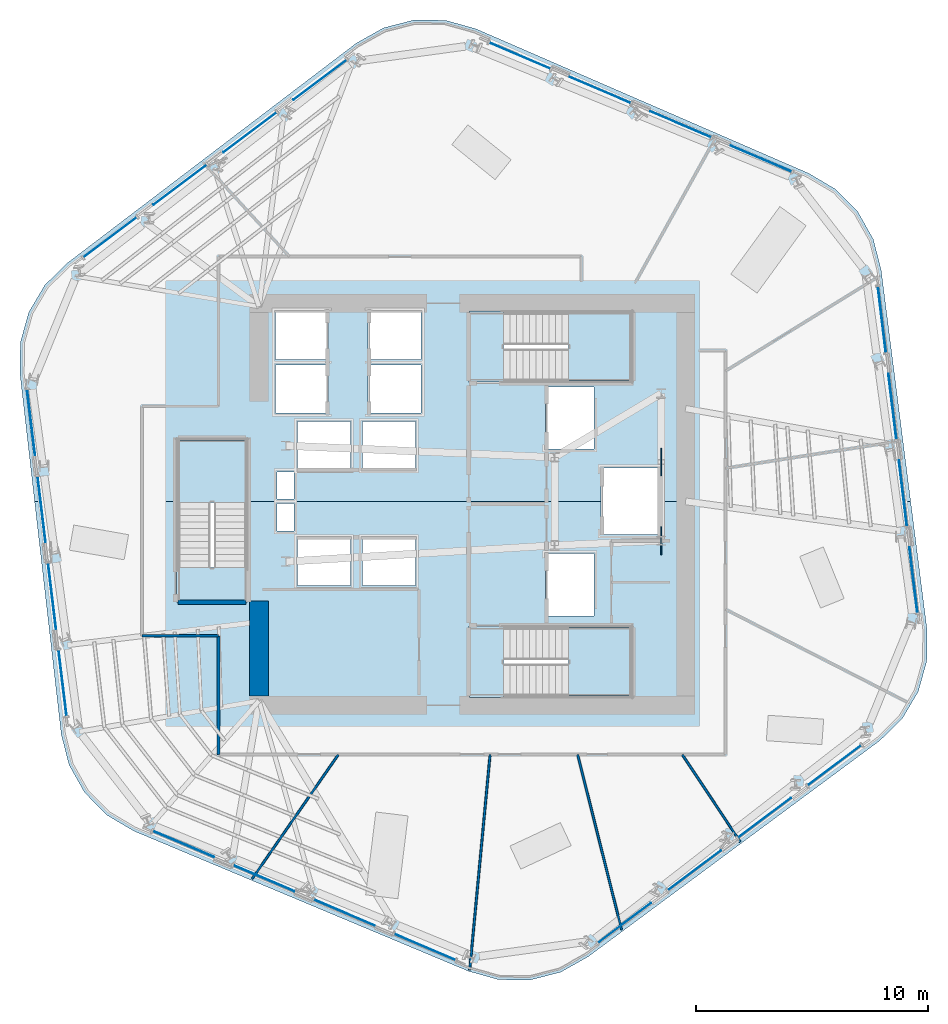
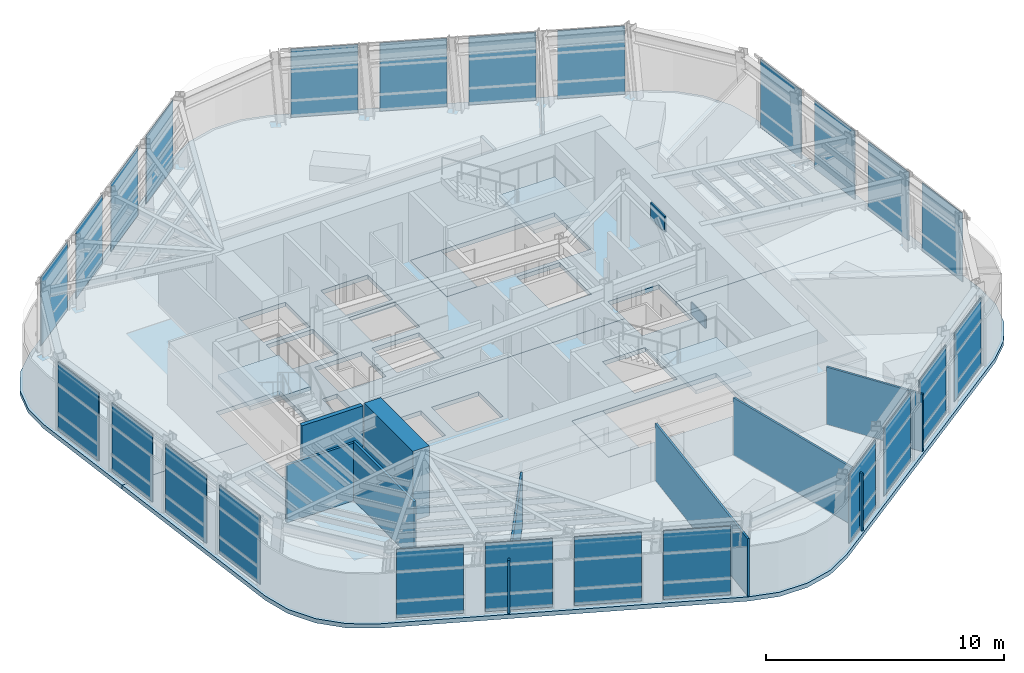
# One storey, part 7 of 14: 26 plates, 8 slabs, 8 walls, 9 elements without a shape of their own.
"""IFC4 building model written with IfcOpenShell, lengths in metres."""

from ifc_helpers import new_model, si_unit, direction, frame, frame_2d, origin, origin_2d, place, context, subcontext, project, spatial, polyline, rectangle, outline, extrude, material, layer, layer_set, type_object, element, aggregate, save


model = new_model("IFC4")

# Units and contexts
model_context = context("Model", 3, precision=1e-05, world=origin(), true_north=direction((0.0, 1.0)))
body_context = subcontext(model_context, "Body", "Model", "MODEL_VIEW")
ifc_project = project(units=[si_unit("LENGTHUNIT", "METRE"), si_unit("AREAUNIT", "SQUARE_METRE"), si_unit("VOLUMEUNIT", "CUBIC_METRE"), si_unit("PLANEANGLEUNIT", "RADIAN"), si_unit("MASSUNIT", "GRAM", prefix="KILO")], contexts=[model_context])

# Site, building, storey
site_placement = place(None, origin())
site = spatial("IfcSite", under=ifc_project, at=site_placement, CompositionType="ELEMENT")
building_placement = place(site_placement, origin())
building = spatial("IfcBuilding", under=site, at=building_placement, Name="Valkerne Bourse Tower", CompositionType="ELEMENT")
storey_placement = place(building_placement, frame((0.0, 0.0, 181.800048828125)))
storey = spatial("IfcBuildingStorey", under=building, at=storey_placement, Name="L46", CompositionType="ELEMENT", Elevation=181.800048828125)

# Curtain wall, plates
ifc_material_1 = material(Name="Aluminium AA 6063-T6", Category="aluminium")
ifc_layer_1 = layer(ifc_material_1, 0.235107421875)
ifc_layer_set_1 = layer_set([ifc_layer_1], Name="Aluminium AA 6063-T6")
curtain_wall_type = type_object("IfcCurtainWallType", Name="CW-03", PredefinedType="NOTDEFINED", material=ifc_layer_set_1)
curtain_wall_1_placement = place(storey_placement, origin())
curtain_wall_1 = element("IfcCurtainWall", 1, at=curtain_wall_1_placement, inside=storey, type_object=curtain_wall_type, Name="L46 Hexagonal Stick Curtain Wall Face 1", PredefinedType="NOTDEFINED")
ifc_material_2 = material(Name="Glass IGU Low-E Double Glazed", Category="glass")
ifc_layer_2 = layer(ifc_material_2, 0.031982421875)
ifc_layer_set_2 = layer_set([ifc_layer_2], Name="Glass IGU Low-E Double Glazed")
plate_type_1 = type_object("IfcPlateType", Name="CW-PNL-IGU-32", PredefinedType="CURTAIN_PANEL", material=ifc_layer_set_2)
plate_1_placement = place(storey_placement, frame((59.254638671875, 41.781982421875, 0.030029296875), z_axis=(0.0, 0.0, 1.0), x_axis=(-0.919823978755, 0.392331298914, 0.0)))
plate_1 = element("IfcPlate", 2, at=plate_1_placement, type_object=plate_type_1, Name="CW-L46-F1 Curtain Panel 00", PredefinedType="CURTAIN_PANEL", context=body_context, shape_type="SweptSolid", body=[
    extrude(rectangle(XDim=2.85107421875, YDim=0.031982421875, at=origin_2d()), origin(), (0.0, 0.0, 1.0), 3.52001953125),
])
plate_2_placement = place(storey_placement, frame((55.785888671875, 43.261474609375, 0.030029296875), z_axis=(0.0, 0.0, 1.0), x_axis=(-0.919819896878, 0.392340868769, 0.0)))
plate_2 = element("IfcPlate", 3, at=plate_2_placement, type_object=plate_type_1, Name="CW-L46-F1 Curtain Panel 01", PredefinedType="CURTAIN_PANEL", context=body_context, shape_type="SweptSolid", body=[
    extrude(rectangle(XDim=2.85107421875, YDim=0.031982421875, at=origin_2d()), origin(), (0.0, 0.0, 1.0), 3.52001953125),
])
plate_3_placement = place(storey_placement, frame((52.3173828125, 44.740966796875, 0.030029296875), z_axis=(0.0, 0.0, 1.0), x_axis=(-0.919823978755, 0.392331298914, 0.0)))
plate_3 = element("IfcPlate", 4, at=plate_3_placement, type_object=plate_type_1, Name="CW-L46-F1 Curtain Panel 02", PredefinedType="CURTAIN_PANEL", context=body_context, shape_type="SweptSolid", body=[
    extrude(rectangle(XDim=2.85107421875, YDim=0.031982421875, at=origin_2d()), origin(), (0.0, 0.0, 1.0), 3.52001953125),
])
plate_4_placement = place(storey_placement, frame((48.8486328125, 46.220458984375, 0.030029296875), z_axis=(0.0, 0.0, 1.0), x_axis=(-0.919819896878, 0.392340868769, 0.0)))
plate_4 = element("IfcPlate", 5, at=plate_4_placement, type_object=plate_type_1, Name="CW-L46-F1 Curtain Panel 03", PredefinedType="CURTAIN_PANEL", context=body_context, shape_type="SweptSolid", body=[
    extrude(rectangle(XDim=2.85107421875, YDim=0.031982421875, at=origin_2d()), origin(), (0.0, 0.0, 1.0), 3.52001953125),
])
aggregate(curtain_wall_1, [plate_1, plate_2, plate_3, plate_4])

curtain_wall_2_placement = place(storey_placement, origin())
curtain_wall_2 = element("IfcCurtainWall", 6, at=curtain_wall_2_placement, inside=storey, type_object=curtain_wall_type, Name="L46 Hexagonal Stick Curtain Wall Face 2", PredefinedType="NOTDEFINED")
plate_5_placement = place(storey_placement, frame((40.2255859375, 45.177001953125, 0.030029296875), z_axis=(0.0, 0.0, 1.0), x_axis=(-0.799691229291, -0.600411473737, 0.0)))
plate_5 = element("IfcPlate", 7, at=plate_5_placement, type_object=plate_type_1, Name="CW-L46-F2 Curtain Panel 00", PredefinedType="CURTAIN_PANEL", context=body_context, shape_type="SweptSolid", body=[
    extrude(rectangle(XDim=2.85107421875, YDim=0.031982421875, at=origin_2d()), origin(), (0.0, 0.0, 1.0), 3.52001953125),
])
plate_6_placement = place(storey_placement, frame((37.2099609375, 42.912841796875, 0.030029296875), z_axis=(0.0, 0.0, 1.0), x_axis=(-0.799694402222, -0.60040724767, 0.0)))
plate_6 = element("IfcPlate", 8, at=plate_6_placement, type_object=plate_type_1, Name="CW-L46-F2 Curtain Panel 01", PredefinedType="CURTAIN_PANEL", context=body_context, shape_type="SweptSolid", body=[
    extrude(rectangle(XDim=2.850830078125, YDim=0.031982421875, at=origin_2d()), origin(), (0.0, 0.0, 1.0), 3.52001953125),
])
plate_7_placement = place(storey_placement, frame((34.194580078125, 40.648681640625, 0.030029296875), z_axis=(0.0, 0.0, 1.0), x_axis=(-0.799681669547, -0.600424206199, 0.0)))
plate_7 = element("IfcPlate", 9, at=plate_7_placement, type_object=plate_type_1, Name="CW-L46-F2 Curtain Panel 02", PredefinedType="CURTAIN_PANEL", context=body_context, shape_type="SweptSolid", body=[
    extrude(rectangle(XDim=2.85107421875, YDim=0.031982421875, at=origin_2d()), origin(), (0.0, 0.0, 1.0), 3.52001953125),
])
plate_8_placement = place(storey_placement, frame((31.178955078125, 38.384521484375, 0.030029296875), z_axis=(0.0, 0.0, 1.0), x_axis=(-0.799681669547, -0.600424206199, 0.0)))
plate_8 = element("IfcPlate", 10, at=plate_8_placement, type_object=plate_type_1, Name="CW-L46-F2 Curtain Panel 03", PredefinedType="CURTAIN_PANEL", context=body_context, shape_type="SweptSolid", body=[
    extrude(rectangle(XDim=2.85107421875, YDim=0.031982421875, at=origin_2d()), origin(), (0.0, 0.0, 1.0), 3.52001953125),
])
aggregate(curtain_wall_2, [plate_5, plate_6, plate_7, plate_8])

curtain_wall_3_placement = place(storey_placement, origin())
curtain_wall_3 = element("IfcCurtainWall", 11, at=curtain_wall_3_placement, inside=storey, type_object=curtain_wall_type, Name="L46 Hexagonal Stick Curtain Wall Face 3", PredefinedType="NOTDEFINED")
plate_9_placement = place(storey_placement, frame((27.77099609375, 30.39501953125, 0.030029296875), z_axis=(0.0, 0.0, 1.0), x_axis=(0.120127043525, -0.992758527243, 0.0)))
plate_9 = element("IfcPlate", 12, at=plate_9_placement, type_object=plate_type_1, Name="CW-L46-F3 Curtain Panel 00", PredefinedType="CURTAIN_PANEL", context=body_context, shape_type="SweptSolid", body=[
    extrude(rectangle(XDim=2.85107421875, YDim=0.031982421875, at=origin_2d()), origin(), (0.0, 0.0, 1.0), 3.52001953125),
])
plate_10_placement = place(storey_placement, frame((28.22412109375, 26.6513671875, 0.030029296875), z_axis=(0.0, 0.0, 1.0), x_axis=(0.120153178833, -0.992755364436, 0.0)))
plate_10 = element("IfcPlate", 13, at=plate_10_placement, type_object=plate_type_1, Name="CW-L46-F3 Curtain Panel 01", PredefinedType="CURTAIN_PANEL", context=body_context, shape_type="SweptSolid", body=[
    extrude(rectangle(XDim=2.85107421875, YDim=0.031982421875, at=origin_2d()), origin(), (0.0, 0.0, 1.0), 3.52001953125),
])
plate_11_placement = place(storey_placement, frame((28.67724609375, 22.90771484375, 0.030029296875), z_axis=(0.0, 0.0, 1.0), x_axis=(0.120127043525, -0.992758527243, 0.0)))
plate_11 = element("IfcPlate", 14, at=plate_11_placement, type_object=plate_type_1, Name="CW-L46-F3 Curtain Panel 02", PredefinedType="CURTAIN_PANEL", context=body_context, shape_type="SweptSolid", body=[
    extrude(rectangle(XDim=2.85107421875, YDim=0.031982421875, at=origin_2d()), origin(), (0.0, 0.0, 1.0), 3.52001953125),
])
plate_12_placement = place(storey_placement, frame((29.130126953125, 19.163818359375, 0.030029296875), z_axis=(0.0, 0.0, 1.0), x_axis=(0.120130206083, -0.992758144558, 0.0)))
plate_12 = element("IfcPlate", 15, at=plate_12_placement, type_object=plate_type_1, Name="CW-L46-F3 Curtain Panel 03", PredefinedType="CURTAIN_PANEL", context=body_context, shape_type="SweptSolid", body=[
    extrude(rectangle(XDim=2.850830078125, YDim=0.031982421875, at=origin_2d()), origin(), (0.0, 0.0, 1.0), 3.52001953125),
])
aggregate(curtain_wall_3, [plate_9, plate_10, plate_11, plate_12])

curtain_wall_4_placement = place(storey_placement, origin())
curtain_wall_4 = element("IfcCurtainWall", 16, at=curtain_wall_4_placement, inside=storey, type_object=curtain_wall_type, Name="L46 Hexagonal Stick Curtain Wall Face 4", PredefinedType="NOTDEFINED")
plate_13_placement = place(storey_placement, frame((34.34521484375, 12.218017578125, 0.030029296875), z_axis=(0.0, 0.0, 1.0), x_axis=(0.919823978755, -0.392331298914, 0.0)))
plate_13 = element("IfcPlate", 17, at=plate_13_placement, type_object=plate_type_1, Name="CW-L46-F4 Curtain Panel 00", PredefinedType="CURTAIN_PANEL", context=body_context, shape_type="SweptSolid", body=[
    extrude(rectangle(XDim=2.85107421875, YDim=0.031982421875, at=origin_2d()), origin(), (0.0, 0.0, 1.0), 3.52001953125),
])
plate_14_placement = place(storey_placement, frame((37.81396484375, 10.738525390625, 0.030029296875), z_axis=(0.0, 0.0, 1.0), x_axis=(0.919819896878, -0.392340868769, 0.0)))
plate_14 = element("IfcPlate", 18, at=plate_14_placement, type_object=plate_type_1, Name="CW-L46-F4 Curtain Panel 01", PredefinedType="CURTAIN_PANEL", context=body_context, shape_type="SweptSolid", body=[
    extrude(rectangle(XDim=2.85107421875, YDim=0.031982421875, at=origin_2d()), origin(), (0.0, 0.0, 1.0), 3.52001953125),
])
plate_15_placement = place(storey_placement, frame((41.28271484375, 9.259033203125, 0.030029296875), z_axis=(0.0, 0.0, 1.0), x_axis=(0.919823978755, -0.392331298914, 0.0)))
plate_15 = element("IfcPlate", 19, at=plate_15_placement, type_object=plate_type_1, Name="CW-L46-F4 Curtain Panel 02", PredefinedType="CURTAIN_PANEL", context=body_context, shape_type="SweptSolid", body=[
    extrude(rectangle(XDim=2.85107421875, YDim=0.031982421875, at=origin_2d()), origin(), (0.0, 0.0, 1.0), 3.52001953125),
])
plate_16_placement = place(storey_placement, frame((44.751220703125, 7.779541015625, 0.030029296875), z_axis=(0.0, 0.0, 1.0), x_axis=(0.919819896878, -0.392340868769, 0.0)))
plate_16 = element("IfcPlate", 20, at=plate_16_placement, type_object=plate_type_1, Name="CW-L46-F4 Curtain Panel 03", PredefinedType="CURTAIN_PANEL", context=body_context, shape_type="SweptSolid", body=[
    extrude(rectangle(XDim=2.85107421875, YDim=0.031982421875, at=origin_2d()), origin(), (0.0, 0.0, 1.0), 3.52001953125),
])
aggregate(curtain_wall_4, [plate_13, plate_14, plate_15, plate_16])

curtain_wall_5_placement = place(storey_placement, origin())
curtain_wall_5 = element("IfcCurtainWall", 21, at=curtain_wall_5_placement, inside=storey, type_object=curtain_wall_type, Name="L46 Hexagonal Stick Curtain Wall Face 5", PredefinedType="NOTDEFINED")
plate_17_placement = place(storey_placement, frame((53.374267578125, 8.822998046875, 0.030029296875), z_axis=(0.0, 0.0, 1.0), x_axis=(0.799691229291, 0.600411473737, 0.0)))
plate_17 = element("IfcPlate", 22, at=plate_17_placement, type_object=plate_type_1, Name="CW-L46-F5 Curtain Panel 00", PredefinedType="CURTAIN_PANEL", context=body_context, shape_type="SweptSolid", body=[
    extrude(rectangle(XDim=2.85107421875, YDim=0.031982421875, at=origin_2d()), origin(), (0.0, 0.0, 1.0), 3.52001953125),
])
plate_18_placement = place(storey_placement, frame((56.389892578125, 11.087158203125, 0.030029296875), z_axis=(0.0, 0.0, 1.0), x_axis=(0.799694402222, 0.60040724767, 0.0)))
plate_18 = element("IfcPlate", 23, at=plate_18_placement, type_object=plate_type_1, Name="CW-L46-F5 Curtain Panel 01", PredefinedType="CURTAIN_PANEL", context=body_context, shape_type="SweptSolid", body=[
    extrude(rectangle(XDim=2.850830078125, YDim=0.031982421875, at=origin_2d()), origin(), (0.0, 0.0, 1.0), 3.52001953125),
])
plate_19_placement = place(storey_placement, frame((59.405517578125, 13.351318359375, 0.030029296875), z_axis=(0.0, 0.0, 1.0), x_axis=(0.799681669547, 0.600424206199, 0.0)))
plate_19 = element("IfcPlate", 24, at=plate_19_placement, type_object=plate_type_1, Name="CW-L46-F5 Curtain Panel 02", PredefinedType="CURTAIN_PANEL", context=body_context, shape_type="SweptSolid", body=[
    extrude(rectangle(XDim=2.85107421875, YDim=0.031982421875, at=origin_2d()), origin(), (0.0, 0.0, 1.0), 3.52001953125),
])
plate_20_placement = place(storey_placement, frame((62.421142578125, 15.615478515625, 0.030029296875), z_axis=(0.0, 0.0, 1.0), x_axis=(0.799681669547, 0.600424206199, 0.0)))
plate_20 = element("IfcPlate", 25, at=plate_20_placement, type_object=plate_type_1, Name="CW-L46-F5 Curtain Panel 03", PredefinedType="CURTAIN_PANEL", context=body_context, shape_type="SweptSolid", body=[
    extrude(rectangle(XDim=2.85107421875, YDim=0.031982421875, at=origin_2d()), origin(), (0.0, 0.0, 1.0), 3.52001953125),
])
aggregate(curtain_wall_5, [plate_17, plate_18, plate_19, plate_20])

curtain_wall_6_placement = place(storey_placement, origin())
curtain_wall_6 = element("IfcCurtainWall", 26, at=curtain_wall_6_placement, inside=storey, type_object=curtain_wall_type, Name="L46 Hexagonal Stick Curtain Wall Face 6", PredefinedType="NOTDEFINED")
plate_21_placement = place(storey_placement, frame((65.828857421875, 23.60498046875, 0.030029296875), z_axis=(0.0, 0.0, 1.0), x_axis=(-0.120127043525, 0.992758527243, 0.0)))
plate_21 = element("IfcPlate", 27, at=plate_21_placement, type_object=plate_type_1, Name="CW-L46-F6 Curtain Panel 00", PredefinedType="CURTAIN_PANEL", context=body_context, shape_type="SweptSolid", body=[
    extrude(rectangle(XDim=2.85107421875, YDim=0.031982421875, at=origin_2d()), origin(), (0.0, 0.0, 1.0), 3.52001953125),
])
plate_22_placement = place(storey_placement, frame((65.3759765625, 27.3486328125, 0.030029296875), z_axis=(0.0, 0.0, 1.0), x_axis=(-0.120153178833, 0.992755364436, 0.0)))
plate_22 = element("IfcPlate", 28, at=plate_22_placement, type_object=plate_type_1, Name="CW-L46-F6 Curtain Panel 01", PredefinedType="CURTAIN_PANEL", context=body_context, shape_type="SweptSolid", body=[
    extrude(rectangle(XDim=2.85107421875, YDim=0.031982421875, at=origin_2d()), origin(), (0.0, 0.0, 1.0), 3.52001953125),
])
plate_23_placement = place(storey_placement, frame((64.9228515625, 31.09228515625, 0.030029296875), z_axis=(0.0, 0.0, 1.0), x_axis=(-0.120127043525, 0.992758527243, 0.0)))
plate_23 = element("IfcPlate", 29, at=plate_23_placement, type_object=plate_type_1, Name="CW-L46-F6 Curtain Panel 02", PredefinedType="CURTAIN_PANEL", context=body_context, shape_type="SweptSolid", body=[
    extrude(rectangle(XDim=2.85107421875, YDim=0.031982421875, at=origin_2d()), origin(), (0.0, 0.0, 1.0), 3.52001953125),
])
plate_24_placement = place(storey_placement, frame((64.469970703125, 34.836181640625, 0.030029296875), z_axis=(0.0, 0.0, 1.0), x_axis=(-0.120130206083, 0.992758144558, 0.0)))
plate_24 = element("IfcPlate", 30, at=plate_24_placement, type_object=plate_type_1, Name="CW-L46-F6 Curtain Panel 03", PredefinedType="CURTAIN_PANEL", context=body_context, shape_type="SweptSolid", body=[
    extrude(rectangle(XDim=2.850830078125, YDim=0.031982421875, at=origin_2d()), origin(), (0.0, 0.0, 1.0), 3.52001953125),
])
aggregate(curtain_wall_6, [plate_21, plate_22, plate_23, plate_24])

# Plates
ifc_material_3 = material(Name="Steel ASTM A572 Grade 50", Category="steel")
ifc_layer_3 = layer(ifc_material_3, 0.06005859375)
ifc_layer_set_3 = layer_set([ifc_layer_3], Name="Steel ASTM A572 Grade 50")
plate_type_2 = type_object("IfcPlateType", Name="PLT-GUS-60", PredefinedType="SHEET", material=ifc_layer_set_3)
for number, where, z_axis, x_axis, name in (
    (31, (54.949951171875, 25.300048828125, -0.18017578125), (0.0, 0.0, 1.0), (0.0, 1.0, 0.0), "L46 Brace Node Gusset Plate PLT-GUS-END-L46-408"),
    (32, (54.949951171875, 28.699951171875, 2.8740234375), (0.0, 0.0, 1.0), (0.0, 1.0, 0.0), "L46 Brace Node Gusset Plate PLT-GUS-END-L46-409"),
):
    element("IfcPlate", number, at=place(storey_placement, frame(where, z_axis=z_axis, x_axis=x_axis)), inside=storey, type_object=plate_type_2, Name=name, PredefinedType="SHEET", context=body_context, shape_type="SweptSolid", body=[
        extrude(rectangle(XDim=1.199951171875, YDim=0.06005859375, at=origin_2d()), origin(), (0.0, 0.0, 1.0), 0.800048828125),
    ])

# Slabs
ifc_material_4 = material(Name="Concrete C40/50", Category="concrete")
ifc_layer_4 = layer(ifc_material_4, 0.25)
ifc_layer_set_4 = layer_set([ifc_layer_4], Name="Concrete C40/50")
slab_type_1 = type_object("IfcSlabType", Name="SLB-RMP-LND-250", PredefinedType="LANDING", material=ifc_layer_set_4)
slab_1_placement = place(storey_placement, frame((0.0, 0.0, -0.219970703125)))
element("IfcSlab", 33, at=slab_1_placement, inside=storey, type_object=slab_type_1, Name="L46 ST-1 Floor Landing Slab", PredefinedType="LANDING", context=body_context, shape_type="SweptSolid", body=[
    extrude(outline(polyline([(46.669921875, 18.5400390625), (48.14990234375, 18.5400390625), (48.14990234375, 21.610107421875), (46.669921875, 21.610107421875), (46.669921875, 18.5400390625)])), origin(), (0.0, 0.0, 1.0), 0.219970703125),
])
slab_2_placement = place(storey_placement, frame((0.0, 0.0, -0.219970703125)))
element("IfcSlab", 34, at=slab_2_placement, inside=storey, type_object=slab_type_1, Name="L46 ST-2 Floor Landing Slab", PredefinedType="LANDING", context=body_context, shape_type="SweptSolid", body=[
    extrude(outline(polyline([(46.669921875, 32.139892578125), (48.14990234375, 32.139892578125), (48.14990234375, 35.2099609375), (46.669921875, 35.2099609375), (46.669921875, 32.139892578125)])), origin(), (0.0, 0.0, 1.0), 0.219970703125),
])
slab_3_placement = place(storey_placement, frame((0.0, 0.0, -0.219970703125)))
element("IfcSlab", 35, at=slab_3_placement, inside=storey, type_object=slab_type_1, Name="L46 ST-3 Floor Landing Slab", PredefinedType="LANDING", context=body_context, shape_type="SweptSolid", body=[
    extrude(outline(polyline([(37.110107421875, 22.669921875), (37.110107421875, 24.14990234375), (34.0400390625, 24.14990234375), (34.0400390625, 22.669921875), (37.110107421875, 22.669921875)])), origin(), (0.0, 0.0, 1.0), 0.219970703125),
])

# Stair, slab
stair_type = type_object("IfcStairType", Name="ST-CORE-1400", PredefinedType="HALF_TURN_STAIR", material=ifc_material_4)
stair_1_placement = place(storey_placement, origin())
stair_1 = element("IfcStair", 36, at=stair_1_placement, inside=storey, type_object=stair_type, Name="L46 ST-1", PredefinedType="HALF_TURN_STAIR")
ifc_layer_5 = layer(ifc_material_4, 0.179931640625)
ifc_layer_set_5 = layer_set([ifc_layer_5], Name="Concrete C40/50")
slab_type_2 = type_object("IfcSlabType", Name="SLB-ST-LND-180", PredefinedType="LANDING", material=ifc_layer_set_5)
slab_4_placement = place(storey_placement, frame((0.0, 0.0, 1.699951171875)))
slab_4 = element("IfcSlab", 37, at=slab_4_placement, type_object=slab_type_2, Name="ST-1 landing 1", PredefinedType="LANDING", context=body_context, shape_type="SweptSolid", body=[
    extrude(outline(polyline([(50.949951171875, 18.60009765625), (53.64990234375, 18.60009765625), (53.64990234375, 21.550048828125), (50.949951171875, 21.550048828125), (50.949951171875, 18.60009765625)])), origin(), (0.0, 0.0, 1.0), 0.199951171875),
])
aggregate(stair_1, [slab_4])

stair_2_placement = place(storey_placement, origin())
stair_2 = element("IfcStair", 38, at=stair_2_placement, inside=storey, type_object=stair_type, Name="L46 ST-2", PredefinedType="HALF_TURN_STAIR")
slab_5_placement = place(storey_placement, frame((0.0, 0.0, 1.699951171875)))
slab_5 = element("IfcSlab", 39, at=slab_5_placement, type_object=slab_type_2, Name="ST-2 landing 1", PredefinedType="LANDING", context=body_context, shape_type="SweptSolid", body=[
    extrude(outline(polyline([(50.949951171875, 32.199951171875), (53.64990234375, 32.199951171875), (53.64990234375, 35.14990234375), (50.949951171875, 35.14990234375), (50.949951171875, 32.199951171875)])), origin(), (0.0, 0.0, 1.0), 0.199951171875),
])
aggregate(stair_2, [slab_5])

stair_3_placement = place(storey_placement, origin())
stair_3 = element("IfcStair", 40, at=stair_3_placement, inside=storey, type_object=stair_type, Name="L46 ST-3", PredefinedType="HALF_TURN_STAIR")
slab_6_placement = place(storey_placement, frame((0.0, 0.0, 1.699951171875)))
slab_6 = element("IfcSlab", 41, at=slab_6_placement, type_object=slab_type_2, Name="ST-3 landing 1", PredefinedType="LANDING", context=body_context, shape_type="SweptSolid", body=[
    extrude(outline(polyline([(37.050048828125, 26.949951171875), (37.050048828125, 29.64990234375), (34.10009765625, 29.64990234375), (34.10009765625, 26.949951171875), (37.050048828125, 26.949951171875)])), origin(), (0.0, 0.0, 1.0), 0.199951171875),
])
aggregate(stair_3, [slab_6])

# Slabs
ifc_layer_6 = layer(ifc_material_4, 0.219970703125)
ifc_layer_set_6 = layer_set([ifc_layer_6], Name="Concrete C40/50")
slab_type_3 = type_object("IfcSlabType", Name="SLB-TOW-220", PredefinedType="FLOOR", material=ifc_layer_set_6)
slab_7_placement = place(storey_placement, frame((0.0, 0.0, -0.219970703125)))
element("IfcSlab", 42, at=slab_7_placement, inside=storey, type_object=slab_type_3, Name="L46 Hexagonal Composite Floor Slab S", PredefinedType="FLOOR", context=body_context, shape_type="SweptSolid", body=[
    extrude(outline(polyline([(66.400634765625, 20.102783203125), (66.035400390625, 18.79541015625), (65.344482421875, 17.626953125), (64.374755859375, 16.677001953125), (51.7958984375, 7.35888671875), (50.613037109375, 6.692626953125), (49.29833984375, 6.35498046875), (47.94091796875, 6.369384765625), (46.63330078125, 6.734375), (32.195068359375, 12.782958984375), (31.026611328125, 13.47412109375), (30.076904296875, 14.44384765625), (29.410400390625, 15.62646484375), (29.07275390625, 16.94140625), (27.92138671875, 27.0), (34.034912109375, 27.0), (34.034912109375, 22.6650390625), (37.114990234375, 22.6650390625), (37.114990234375, 27.0), (52.360107421875, 27.0), (52.360107421875, 25.56005859375), (54.840087890625, 25.56005859375), (54.840087890625, 27.0), (65.7080078125, 27.0), (66.414794921875, 21.460205078125), (66.400634765625, 20.102783203125)]), holes=[polyline([(41.5400390625, 25.43994140625), (39.260009765625, 25.43994140625), (39.260009765625, 23.360107421875), (41.5400390625, 23.360107421875), (41.5400390625, 25.43994140625)]), polyline([(44.340087890625, 25.43994140625), (42.06005859375, 25.43994140625), (42.06005859375, 23.360107421875), (44.340087890625, 23.360107421875), (44.340087890625, 25.43994140625)]), polyline([(39.10009765625, 26.89990234375), (38.3798828125, 26.89990234375), (38.3798828125, 25.72998046875), (39.10009765625, 25.72998046875), (39.10009765625, 26.89990234375)]), polyline([(53.675048828125, 21.614990234375), (46.6650390625, 21.614990234375), (46.6650390625, 18.534912109375), (53.675048828125, 18.534912109375), (53.675048828125, 21.614990234375)]), polyline([(52.0400390625, 24.739990234375), (49.9599609375, 24.739990234375), (49.9599609375, 22.06005859375), (52.0400390625, 22.06005859375), (52.0400390625, 24.739990234375)])]), origin(), (0.0, 0.0, 1.0), 0.219970703125),
])
slab_8_placement = place(storey_placement, frame((0.0, 0.0, -0.219970703125)))
element("IfcSlab", 43, at=slab_8_placement, inside=storey, type_object=slab_type_3, Name="L46 Hexagonal Composite Floor Slab N", PredefinedType="FLOOR", context=body_context, shape_type="SweptSolid", body=[
    extrude(outline(polyline([(27.29248046875, 32.493896484375), (27.306640625, 33.851318359375), (27.671875, 35.158935546875), (28.36279296875, 36.327392578125), (29.332763671875, 37.277099609375), (41.790283203125, 46.7568359375), (42.972900390625, 47.423095703125), (44.28759765625, 47.7607421875), (45.64501953125, 47.74658203125), (46.952392578125, 47.381591796875), (61.311767578125, 41.14697265625), (62.47998046875, 40.4560546875), (63.429931640625, 39.486083984375), (64.09619140625, 38.303466796875), (64.433837890625, 36.988525390625), (65.7080078125, 27.0), (54.840087890625, 27.0), (54.840087890625, 28.43994140625), (52.360107421875, 28.43994140625), (52.360107421875, 27.0), (37.114990234375, 27.0), (37.114990234375, 29.675048828125), (34.034912109375, 29.675048828125), (34.034912109375, 27.0), (27.92138671875, 27.0), (27.29248046875, 32.493896484375)]), holes=[polyline([(39.10009765625, 28.27001953125), (38.3798828125, 28.27001953125), (38.3798828125, 27.10009765625), (39.10009765625, 27.10009765625), (39.10009765625, 28.27001953125)]), polyline([(41.5400390625, 30.43994140625), (39.260009765625, 30.43994140625), (39.260009765625, 28.360107421875), (41.5400390625, 28.360107421875), (41.5400390625, 30.43994140625)]), polyline([(40.590087890625, 32.889892578125), (38.31005859375, 32.889892578125), (38.31005859375, 30.81005859375), (40.590087890625, 30.81005859375), (40.590087890625, 32.889892578125)]), polyline([(40.590087890625, 35.18994140625), (38.31005859375, 35.18994140625), (38.31005859375, 33.110107421875), (40.590087890625, 33.110107421875), (40.590087890625, 35.18994140625)]), polyline([(44.340087890625, 30.43994140625), (42.06005859375, 30.43994140625), (42.06005859375, 28.360107421875), (44.340087890625, 28.360107421875), (44.340087890625, 30.43994140625)]), polyline([(52.0400390625, 31.93994140625), (49.9599609375, 31.93994140625), (49.9599609375, 29.260009765625), (52.0400390625, 29.260009765625), (52.0400390625, 31.93994140625)]), polyline([(44.590087890625, 32.889892578125), (42.31005859375, 32.889892578125), (42.31005859375, 30.81005859375), (44.590087890625, 30.81005859375), (44.590087890625, 32.889892578125)]), polyline([(53.675048828125, 35.215087890625), (46.6650390625, 35.215087890625), (46.6650390625, 32.135009765625), (53.675048828125, 32.135009765625), (53.675048828125, 35.215087890625)]), polyline([(44.590087890625, 35.18994140625), (42.31005859375, 35.18994140625), (42.31005859375, 33.110107421875), (44.590087890625, 33.110107421875), (44.590087890625, 35.18994140625)])]), origin(), (0.0, 0.0, 1.0), 0.219970703125),
])

# Walls
ifc_material_5 = material(Name="Concrete C55/67", Category="concrete")
ifc_layer_7 = layer(ifc_material_5, 0.800048828125)
ifc_layer_set_7 = layer_set([ifc_layer_7], Name="Concrete C55/67")
wall_type_1 = type_object("IfcWallType", Name="W-CORE-800", PredefinedType="SHEAR", material=ifc_layer_set_7)
wall_1_placement = place(storey_placement, frame((37.60009765625, 18.60009765625, 0.0), z_axis=(0.0, 0.0, 1.0), x_axis=(0.0, 1.0, 0.0)))
element("IfcWall", 44, at=wall_1_placement, inside=storey, type_object=wall_type_1, Name="L46 Core Shear Wall WEST-S", PredefinedType="SHEAR", context=body_context, shape_type="SweptSolid", body=[
    extrude(rectangle(XDim=4.099853515625, YDim=0.800048828125, at=frame_2d((2.0498046875, 0.0))), origin(), (0.0, 0.0, 1.0), 3.579833984375),
])
ifc_material_6 = material(Name="Gypsum Board Steel-Stud Partition", Category="steel")
ifc_layer_8 = layer(ifc_material_6, 0.117919921875)
ifc_layer_set_8 = layer_set([ifc_layer_8], Name="Gypsum Board Steel-Stud Partition")
wall_type_2 = type_object("IfcWallType", Name="W-CORR-140", PredefinedType="PARTITIONING", material=ifc_layer_set_8)
wall_2_placement = place(storey_placement, frame((35.85009765625, 16.080078125, 0.0), z_axis=(0.0, 0.0, 1.0), x_axis=(0.0, 1.0, 0.0)))
element("IfcWall", 45, at=wall_2_placement, inside=storey, type_object=wall_type_2, Name="L46 Corridor Enclosure Wall", PredefinedType="PARTITIONING", context=body_context, shape_type="SweptSolid", body=[
    extrude(rectangle(XDim=5.119873046875, YDim=0.117919921875, at=frame_2d((2.56005859375, 0.0))), origin(), (0.0, 0.0, 1.0), 3.021240234375),
])
wall_3_placement = place(storey_placement, frame((35.85009765625, 21.199951171875, 0.0), z_axis=(0.0, 0.0, 1.0), x_axis=(-1.0, 0.0, 0.0)))
element("IfcWall", 46, at=wall_3_placement, inside=storey, type_object=wall_type_2, Name="L46 Corridor Enclosure Wall", PredefinedType="PARTITIONING", context=body_context, shape_type="SweptSolid", body=[
    extrude(rectangle(XDim=3.300048828125, YDim=0.117919921875, at=frame_2d((1.64990234375, 0.0))), origin(), (0.0, 0.0, 1.0), 2.962890625),
])
ifc_layer_9 = layer(ifc_material_6, 0.092041015625)
ifc_layer_set_9 = layer_set([ifc_layer_9], Name="Gypsum Board Steel-Stud Partition")
wall_type_3 = type_object("IfcWallType", Name="W-PART-115", PredefinedType="PARTITIONING", material=ifc_layer_set_9)
wall_4_placement = place(storey_placement, frame((47.5673828125, 16.074951171875, 0.0), z_axis=(0.0, 0.0, 1.0), x_axis=(-0.094120890662, -0.995560775614, 0.0)))
element("IfcWall", 47, at=wall_4_placement, inside=storey, type_object=wall_type_3, Name="L46 Suite Partition P01", PredefinedType="PARTITIONING", context=body_context, shape_type="SweptSolid", body=[
    extrude(rectangle(XDim=9.3251953125, YDim=0.092041015625, at=frame_2d((4.66259765625, 0.0))), origin(), (0.0, 0.0, 1.0), 2.942626953125),
])
wall_5_placement = place(storey_placement, frame((51.34423828125, 16.074951171875, 0.0), z_axis=(0.0, 0.0, 1.0), x_axis=(0.243604443777, -0.969874669724, 0.0)))
element("IfcWall", 48, at=wall_5_placement, inside=storey, type_object=wall_type_3, Name="L46 Suite Partition P02", PredefinedType="PARTITIONING", context=body_context, shape_type="SweptSolid", body=[
    extrude(rectangle(XDim=7.7919921875, YDim=0.092041015625, at=frame_2d((3.89599609375, 0.0))), origin(), (0.0, 0.0, 1.0), 2.942626953125),
])
wall_6_placement = place(storey_placement, frame((55.858642578125, 16.074951171875, 0.0), z_axis=(0.0, 0.0, 1.0), x_axis=(0.553378606141, -0.832929839942, 0.0)))
element("IfcWall", 49, at=wall_6_placement, inside=storey, type_object=wall_type_3, Name="L46 Suite Partition P03", PredefinedType="PARTITIONING", context=body_context, shape_type="SweptSolid", body=[
    extrude(rectangle(XDim=4.521240234375, YDim=0.092041015625, at=frame_2d((2.2607421875, 0.0))), origin(), (0.0, 0.0, 1.0), 2.942626953125),
])
wall_7_placement = place(storey_placement, frame((41.021484375, 16.074951171875, 0.0), z_axis=(0.0, 0.0, 1.0), x_axis=(-0.569978888575, -0.821659337304, 0.0)))
element("IfcWall", 50, at=wall_7_placement, inside=storey, type_object=wall_type_3, Name="L46 Suite Partition P09", PredefinedType="PARTITIONING", context=body_context, shape_type="SweptSolid", body=[
    extrude(rectangle(XDim=6.51953125, YDim=0.092041015625, at=frame_2d((3.259765625, 0.0))), origin(), (0.0, 0.0, 1.0), 2.71142578125),
])
ifc_layer_10 = layer(ifc_material_4, 0.199951171875)
ifc_layer_set_10 = layer_set([ifc_layer_10], Name="Concrete C40/50")
wall_type_4 = type_object("IfcWallType", Name="W-SHF-200", PredefinedType="SHEAR", material=ifc_layer_set_10)
wall_8_placement = place(storey_placement, frame((34.10009765625, 22.64990234375, 0.0), z_axis=(0.0, 0.0, 1.0), x_axis=(1.0, 0.0, 0.0)))
element("IfcWall", 51, at=wall_8_placement, inside=storey, type_object=wall_type_4, Name="L46 Exit Stair ST-3 Structural Shaft Wall South", PredefinedType="SHEAR", context=body_context, shape_type="SweptSolid", body=[
    extrude(rectangle(XDim=2.949951171875, YDim=0.199951171875, at=frame_2d((1.47509765625, 0.0))), origin(), (0.0, 0.0, 1.0), 3.579833984375),
])

save(model, "model.ifc")
